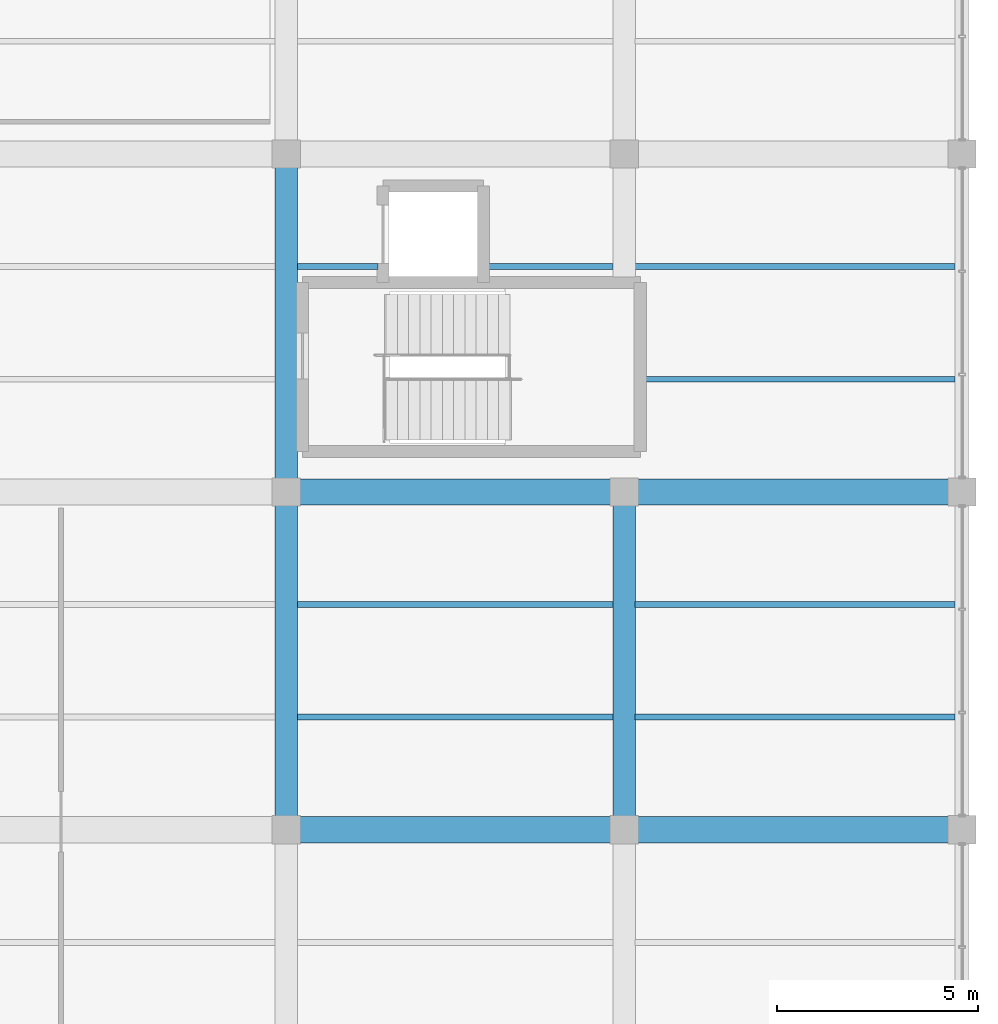
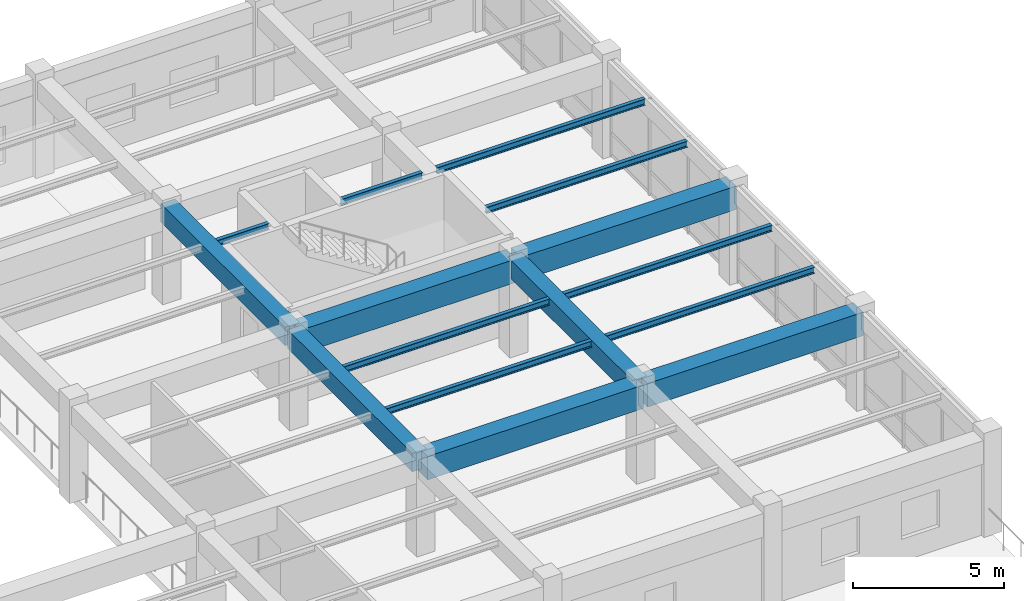
# One storey, part 87 of 152: 15 beams.
"""IFC4 building model written with IfcOpenShell, lengths in metres."""

from ifc_helpers import new_model, si_unit, direction, frame, origin, origin_2d, place, context, subcontext, project, spatial, rectangle, i_section, extrude, material, material_profile, profile_set, type_object, element, save


model = new_model("IFC4")

# Units and contexts
model_context = context("Model", 3, precision=1e-05, world=origin(), true_north=direction((0.0, 1.0)))
body_context = subcontext(model_context, "Body", "Model", "MODEL_VIEW")
ifc_project = project(units=[si_unit("LENGTHUNIT", "METRE"), si_unit("AREAUNIT", "SQUARE_METRE"), si_unit("VOLUMEUNIT", "CUBIC_METRE"), si_unit("PLANEANGLEUNIT", "RADIAN"), si_unit("MASSUNIT", "GRAM", prefix="KILO"), si_unit("THERMODYNAMICTEMPERATUREUNIT", "KELVIN"), si_unit("POWERUNIT", "WATT")], contexts=[model_context])

# Site, building, storey
site_placement = place(None, origin())
site = spatial("IfcSite", under=ifc_project, at=site_placement, CompositionType="ELEMENT")
building_placement = place(site_placement, origin())
building = spatial("IfcBuilding", under=site, at=building_placement, Name="Darbajah Civic Hall", CompositionType="ELEMENT")
storey_placement = place(building_placement, frame((0.0, 0.0, 5.39990234375)))
storey = spatial("IfcBuildingStorey", under=building, at=storey_placement, Name="L01", CompositionType="ELEMENT", Elevation=5.39990234375)

# Beams
ifc_material_1 = material(Name="Concrete C45/55", Category="concrete")
ifc_material_profile_1 = material_profile(ifc_material_1, rectangle(XDim=0.550048828125, YDim=0.75, at=origin_2d()), Name="RC BEAM 550x750")
ifc_profile_set_1 = profile_set([ifc_material_profile_1], Name="Concrete C45/55")
beam_type_1 = type_object("IfcBeamType", Name="RC BEAM 550x750", PredefinedType="BEAM", material=ifc_profile_set_1)
beam_1_placement = place(storey_placement, frame((161.39990234375, 16.8798828125, 3.525146484375), z_axis=(0.0, 1.0, 0.0), x_axis=(-1.0, 0.0, 0.0)))
element("IfcBeam", 1, at=beam_1_placement, inside=storey, type_object=beam_type_1, Name="L01 beam BM-5575", PredefinedType="BEAM", context=body_context, shape_type="SweptSolid", body=[
    extrude(rectangle(XDim=0.550048828125, YDim=0.75, at=origin_2d()), origin(), (0.0, 0.0, 1.0), 8.240234375),
])
beam_2_placement = place(storey_placement, frame((161.39990234375, 25.280029296875, 3.525146484375), z_axis=(0.0, 1.0, 0.0), x_axis=(-1.0, 0.0, 0.0)))
element("IfcBeam", 2, at=beam_2_placement, inside=storey, type_object=beam_type_1, Name="L01 beam BM-5575", PredefinedType="BEAM", context=body_context, shape_type="SweptSolid", body=[
    extrude(rectangle(XDim=0.550048828125, YDim=0.75, at=origin_2d()), origin(), (0.0, 0.0, 1.0), 8.239990234375),
])
beam_3_placement = place(storey_placement, frame((169.800048828125, 16.8798828125, 3.525146484375), z_axis=(0.0, 1.0, 0.0), x_axis=(-1.0, 0.0, 0.0)))
element("IfcBeam", 3, at=beam_3_placement, inside=storey, type_object=beam_type_1, Name="L01 beam BM-5575", PredefinedType="BEAM", context=body_context, shape_type="SweptSolid", body=[
    extrude(rectangle(XDim=0.550048828125, YDim=0.75, at=origin_2d()), origin(), (0.0, 0.0, 1.0), 8.240234375),
])
ifc_material_2 = material(Name="Concrete C50/60", Category="concrete")
ifc_material_profile_2 = material_profile(ifc_material_2, rectangle(XDim=0.64990234375, YDim=0.949951171875, at=origin_2d()), Name="RC GIRDER 650x950")
ifc_profile_set_2 = profile_set([ifc_material_profile_2], Name="Concrete C50/60")
beam_type_2 = type_object("IfcBeamType", Name="RC GIRDER 650x950", PredefinedType="BEAM", material=ifc_profile_set_2)
beam_4_placement = place(storey_placement, frame((161.47998046875, 16.800048828125, 3.425048828125), z_axis=(1.0, 0.0, 0.0), x_axis=(0.0, 1.0, 0.0)))
element("IfcBeam", 4, at=beam_4_placement, inside=storey, type_object=beam_type_2, Name="L01 beam BG-6595", PredefinedType="BEAM", context=body_context, shape_type="SweptSolid", body=[
    extrude(rectangle(XDim=0.64990234375, YDim=0.949951171875, at=origin_2d()), origin(), (0.0, 0.0, 1.0), 8.239990234375),
])
beam_5_placement = place(storey_placement, frame((169.8798828125, 16.800048828125, 3.425048828125), z_axis=(1.0, 0.0, 0.0), x_axis=(0.0, 1.0, 0.0)))
element("IfcBeam", 5, at=beam_5_placement, inside=storey, type_object=beam_type_2, Name="L01 beam BG-6595", PredefinedType="BEAM", context=body_context, shape_type="SweptSolid", body=[
    extrude(rectangle(XDim=0.64990234375, YDim=0.949951171875, at=origin_2d()), origin(), (0.0, 0.0, 1.0), 8.240234375),
])
beam_6_placement = place(storey_placement, frame((161.47998046875, 25.199951171875, 3.425048828125), z_axis=(1.0, 0.0, 0.0), x_axis=(0.0, 1.0, 0.0)))
element("IfcBeam", 6, at=beam_6_placement, inside=storey, type_object=beam_type_2, Name="L01 beam BG-6595", PredefinedType="BEAM", context=body_context, shape_type="SweptSolid", body=[
    extrude(rectangle(XDim=0.64990234375, YDim=0.949951171875, at=origin_2d()), origin(), (0.0, 0.0, 1.0), 8.239990234375),
])
beam_7_placement = place(storey_placement, frame((169.8798828125, 25.199951171875, 3.425048828125), z_axis=(1.0, 0.0, 0.0), x_axis=(0.0, 1.0, 0.0)))
element("IfcBeam", 7, at=beam_7_placement, inside=storey, type_object=beam_type_2, Name="L01 beam BG-6595", PredefinedType="BEAM", context=body_context, shape_type="SweptSolid", body=[
    extrude(rectangle(XDim=0.64990234375, YDim=0.949951171875, at=origin_2d()), origin(), (0.0, 0.0, 1.0), 8.240234375),
])
ifc_material_3 = material(Name="Steel S355JR", Category="steel")
ifc_material_profile_3 = material_profile(ifc_material_3, i_section(OverallWidth=0.146484375, OverallDepth=0.256103515625, WebThickness=0.00634765625, FlangeThickness=0.010986328125, FilletRadius=0.007568359375, at=origin_2d()), Name="UB 254x146x37")
ifc_profile_set_3 = profile_set([ifc_material_profile_3], Name="Steel S355JR")
beam_type_3 = type_object("IfcBeamType", Name="UB 254x146x37", PredefinedType="JOIST", material=ifc_profile_set_3)
for number, where, z_axis, x_axis, name in (
    (8, (161.675048828125, 19.60009765625, 3.772216796875), (1.0, 0.0, 0.0), (0.0, 1.0, 0.0), "L01 beam SJ-254"),
    (9, (161.675048828125, 22.39990234375, 3.772216796875), (1.0, 0.0, 0.0), (0.0, 1.0, 0.0), "L01 beam SJ-254"),
):
    element("IfcBeam", number, at=place(storey_placement, frame(where, z_axis=z_axis, x_axis=x_axis)), inside=storey, type_object=beam_type_3, Name=name, PredefinedType="JOIST", context=body_context, shape_type="SweptSolid", body=[
        extrude(i_section(OverallWidth=0.146484375, OverallDepth=0.256103515625, WebThickness=0.00634765625, FlangeThickness=0.010986328125, FilletRadius=0.007568359375, at=origin_2d()), origin(), (0.0, 0.0, 1.0), 7.849853515625),
    ])
beam_8_placement = place(storey_placement, frame((161.675048828125, 30.800048828125, 3.772216796875), z_axis=(1.0, 0.0, 0.0), x_axis=(0.0, 1.0, 0.0)))
element("IfcBeam", 10, at=beam_8_placement, inside=storey, type_object=beam_type_3, Name="L01 beam SJ-254", PredefinedType="JOIST", context=body_context, shape_type="SweptSolid", body=[
    extrude(i_section(OverallWidth=0.146484375, OverallDepth=0.256103515625, WebThickness=0.00634765625, FlangeThickness=0.010986328125, FilletRadius=0.007568359375, at=origin_2d()), origin(), (0.0, 0.0, 1.0), 2.0048828125),
])
beam_9_placement = place(storey_placement, frame((166.419921875, 30.800048828125, 3.772216796875), z_axis=(1.0, 0.0, 0.0), x_axis=(0.0, 1.0, 0.0)))
element("IfcBeam", 11, at=beam_9_placement, inside=storey, type_object=beam_type_3, Name="L01 beam SJ-254", PredefinedType="JOIST", context=body_context, shape_type="SweptSolid", body=[
    extrude(i_section(OverallWidth=0.146484375, OverallDepth=0.256103515625, WebThickness=0.00634765625, FlangeThickness=0.010986328125, FilletRadius=0.007568359375, at=origin_2d()), origin(), (0.0, 0.0, 1.0), 3.10498046875),
])
for number, where, z_axis, x_axis, name in (
    (12, (170.074951171875, 19.60009765625, 3.772216796875), (1.0, 0.0, 0.0), (0.0, 1.0, 0.0), "L01 beam SJ-254"),
    (13, (170.074951171875, 22.39990234375, 3.772216796875), (1.0, 0.0, 0.0), (0.0, 1.0, 0.0), "L01 beam SJ-254"),
):
    element("IfcBeam", number, at=place(storey_placement, frame(where, z_axis=z_axis, x_axis=x_axis)), inside=storey, type_object=beam_type_3, Name=name, PredefinedType="JOIST", context=body_context, shape_type="SweptSolid", body=[
        extrude(i_section(OverallWidth=0.146484375, OverallDepth=0.256103515625, WebThickness=0.00634765625, FlangeThickness=0.010986328125, FilletRadius=0.007568359375, at=origin_2d()), origin(), (0.0, 0.0, 1.0), 7.949951171875),
    ])
beam_10_placement = place(storey_placement, frame((170.340087890625, 28.0, 3.772216796875), z_axis=(1.0, 0.0, 0.0), x_axis=(0.0, 1.0, 0.0)))
element("IfcBeam", 14, at=beam_10_placement, inside=storey, type_object=beam_type_3, Name="L01 beam SJ-254", PredefinedType="JOIST", context=body_context, shape_type="SweptSolid", body=[
    extrude(i_section(OverallWidth=0.146484375, OverallDepth=0.256103515625, WebThickness=0.00634765625, FlangeThickness=0.010986328125, FilletRadius=0.007568359375, at=origin_2d()), origin(), (0.0, 0.0, 1.0), 7.684814453125),
])
beam_11_placement = place(storey_placement, frame((170.074951171875, 30.800048828125, 3.772216796875), z_axis=(1.0, 0.0, 0.0), x_axis=(0.0, 1.0, 0.0)))
element("IfcBeam", 15, at=beam_11_placement, inside=storey, type_object=beam_type_3, Name="L01 beam SJ-254", PredefinedType="JOIST", context=body_context, shape_type="SweptSolid", body=[
    extrude(i_section(OverallWidth=0.146484375, OverallDepth=0.256103515625, WebThickness=0.00634765625, FlangeThickness=0.010986328125, FilletRadius=0.007568359375, at=origin_2d()), origin(), (0.0, 0.0, 1.0), 7.949951171875),
])

save(model, "model.ifc")
